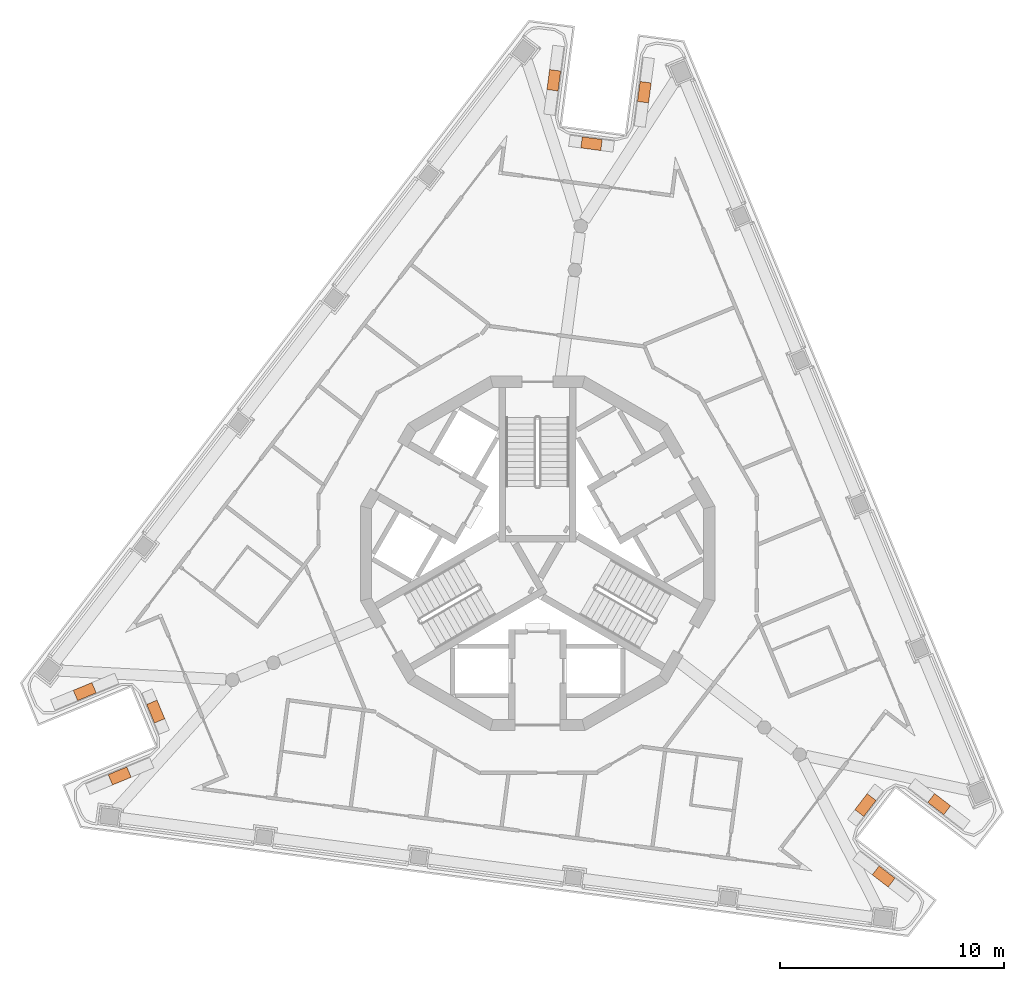
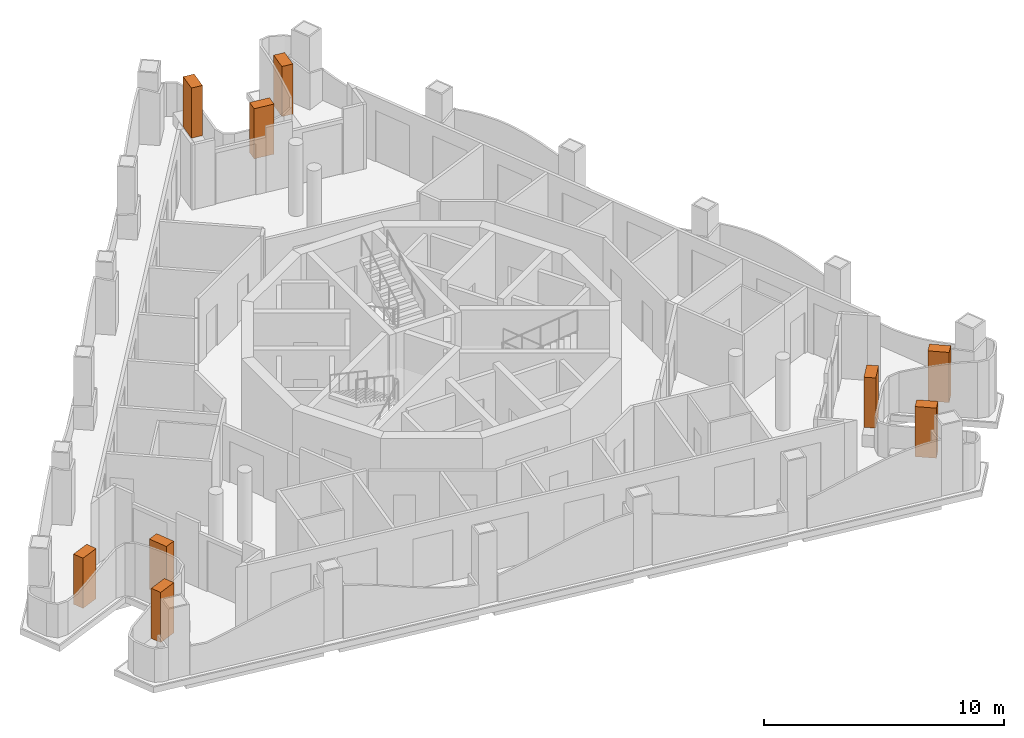
# One storey, part 12 of 12: 9 geographic elements.
"""IFC4 building model written with IfcOpenShell, lengths in metres."""

import ifcopenshell
import ifcopenshell.guid

model = None  # the IFC model being written
_history = None  # IfcOwnerHistory: only IFC2X3 demands one
_inside = {}  # id of a spatial element -> (the spatial element, [elements in it])
_under = {}  # id of a project, library or spatial element -> (it, [spatial elements below it])
_declared = {}  # id of a project -> (the project, [libraries it declares])
_typed = {}  # id of a type object -> (the type object, [elements of that type])
_made_of = {}  # id of a material, layer set ... -> (it, [elements and type objects made of it])


def new_model(schema):
    """Start an empty IFC model of exactly this schema.

    Asked for "IFC4X3", IfcOpenShell would pick the latest addendum, in which some entities
    have other attributes; the version numbers below select the first issue.
    IFC2X3 requires an IfcOwnerHistory on every rooted entity: one is made here for all.
    """
    global model, _history
    if schema == "IFC4X3":
        model = ifcopenshell.file(schema_version=(4, 3, 0, 0))
    else:
        model = ifcopenshell.file(schema=schema)
    _inside.clear()
    _under.clear()
    _declared.clear()
    _typed.clear()
    _made_of.clear()
    _history = None
    if model.schema == "IFC2X3":
        org = make("IfcOrganization", Name="unknown")
        user = make(
            "IfcPersonAndOrganization",
            ThePerson=make("IfcPerson", FamilyName="unknown"),
            TheOrganization=org,
        )
        app = make(
            "IfcApplication",
            ApplicationDeveloper=org,
            Version="unknown",
            ApplicationFullName="unknown",
            ApplicationIdentifier="unknown",
        )
        _history = make(
            "IfcOwnerHistory",
            OwningUser=user,
            OwningApplication=app,
            ChangeAction="ADDED",
            CreationDate=0,
        )
    return model


def make(cls, **values):
    """One entity of the class cls with the attributes given. An attribute that is None is left unset."""
    return model.create_entity(
        cls, **{name: value for name, value in values.items() if value is not None}
    )


def rooted(cls, **values):
    """An entity with a GlobalId (a new one), such as an element, a storey or a relation."""
    return make(cls, GlobalId=ifcopenshell.guid.new(), OwnerHistory=_history, **values)


def si_unit(unit_type, name, prefix=None):
    """IfcSIUnit, for example si_unit("LENGTHUNIT", "METRE", prefix="MILLI")."""
    return make("IfcSIUnit", UnitType=unit_type, Prefix=prefix, Name=name)


def assignment(units):
    """IfcUnitAssignment: the units of a project."""
    return None if units is None else make("IfcUnitAssignment", Units=units)


def point(xyz):
    """IfcCartesianPoint."""
    return None if xyz is None else make("IfcCartesianPoint", Coordinates=xyz)


def direction(xyz):
    """IfcDirection."""
    return None if xyz is None else make("IfcDirection", DirectionRatios=xyz)


def frame(location, z_axis=None, x_axis=None):
    """IfcAxis2Placement3D, a coordinate frame: its origin and axes. An axis left out is left unset."""
    return make(
        "IfcAxis2Placement3D",
        Location=point(location),
        Axis=direction(z_axis),
        RefDirection=direction(x_axis),
    )


def frame_2d(location, x_axis=None):
    """IfcAxis2Placement2D, a coordinate frame in the plane: its origin and x axis."""
    return make(
        "IfcAxis2Placement2D", Location=point(location), RefDirection=direction(x_axis)
    )


def origin():
    """The frame at (0, 0, 0) with its axes left unset."""
    return frame((0.0, 0.0, 0.0))


def origin_2d():
    """The frame at (0, 0) in the plane with its x axis left unset."""
    return frame_2d((0.0, 0.0))


def place(relative_to, where):
    """IfcLocalPlacement: puts the frame where relative to a parent placement (None: the world)."""
    return make(
        "IfcLocalPlacement", PlacementRelTo=relative_to, RelativePlacement=where
    )


def context(
    kind, dimensions, precision=None, world=None, true_north=None, identifier=None
):
    """IfcGeometricRepresentationContext, for example the 3D "Model" context."""
    return make(
        "IfcGeometricRepresentationContext",
        ContextIdentifier=identifier,
        ContextType=kind,
        CoordinateSpaceDimension=dimensions,
        Precision=precision,
        WorldCoordinateSystem=world,
        TrueNorth=true_north,
    )


def subcontext(parent, identifier, kind, view, scale=None):
    """IfcGeometricRepresentationSubContext, for example "Body" below "Model"."""
    return make(
        "IfcGeometricRepresentationSubContext",
        ContextIdentifier=identifier,
        ContextType=kind,
        ParentContext=parent,
        TargetScale=scale,
        TargetView=view,
    )


def project(units=None, contexts=None):
    """IfcProject with its units and contexts."""
    return rooted(
        "IfcProject",
        Name="project",
        RepresentationContexts=contexts,
        UnitsInContext=assignment(units),
    )


def spatial(cls, under=None, at=None, **own):
    """A site, building, storey or space (cls), placed at a placement, below another one or the project."""
    s = rooted(cls, ObjectPlacement=at, **own)
    if under is not None:
        _under.setdefault(under.id(), (under, []))[1].append(s)
    return s


def profile(cls, at=None, kind="AREA", **sizes):
    """A parametric profile (cls). Its sizes go by their IFC names, for example OverallWidth=200.0."""
    return make(cls, ProfileType=kind, Position=at, **sizes)


def rectangle(**sizes):
    """IfcRectangleProfileDef."""
    return profile("IfcRectangleProfileDef", **sizes)


def extrude(swept, where, along, depth):
    """IfcExtrudedAreaSolid: the profile swept, set in the frame where, extruded along a direction by depth."""
    return make(
        "IfcExtrudedAreaSolid",
        SweptArea=swept,
        Position=where,
        ExtrudedDirection=direction(along),
        Depth=depth,
    )


def shape(context_of_items, identifier, shape_type, items):
    """IfcShapeRepresentation: the items that make up one representation, for example the "Body"."""
    return make(
        "IfcShapeRepresentation",
        ContextOfItems=context_of_items,
        RepresentationIdentifier=identifier,
        RepresentationType=shape_type,
        Items=items,
    )


def made_of(thing, what):
    """Note that an element or type object is made of a material, layer set ...; save() writes the relation."""
    if what is not None:
        _made_of.setdefault(what.id(), (what, []))[1].append(thing)
    return thing


def element(
    cls,
    number,
    at=None,
    inside=None,
    cuts=None,
    type_object=None,
    material=None,
    context=None,
    identifier="Body",
    shape_type=None,
    held_by="IfcProductDefinitionShape",
    body=None,
    shapes=None,
    **own,
):
    """One element of the class cls, such as IfcWall. Its Tag is "e" and its number.

    at: its placement. inside: the storey or other place that contains it. cuts: it is an
    opening in that element (IfcRelVoidsElement). A single representation is given by context,
    identifier, shape_type and body (its items); several are given by shapes. held_by: the class
    of the entity that holds the representations. save() writes the other relations.
    """
    e = rooted(cls, Tag="e%d" % number, ObjectPlacement=at, **own)
    if body is not None:
        shapes = [shape(context, identifier, shape_type, body)]
    if shapes is not None:
        e.Representation = make(held_by, Representations=shapes)
    if inside is not None:
        _inside.setdefault(inside.id(), (inside, []))[1].append(e)
    if cuts is not None:
        rooted(
            "IfcRelVoidsElement", RelatingBuildingElement=cuts, RelatedOpeningElement=e
        )
    if type_object is not None:
        _typed.setdefault(type_object.id(), (type_object, []))[1].append(e)
    return made_of(e, material)


def aggregate(whole, parts):
    """IfcRelAggregates: a whole, such as a stair, and the parts it consists of."""
    return rooted("IfcRelAggregates", RelatingObject=whole, RelatedObjects=parts)


def save(model, path):
    """Write the relations noted so far, then the file.

    IfcRelAggregates (storeys below a building ...), IfcRelContainedInSpatialStructure (elements
    in a storey), IfcRelDefinesByType, IfcRelAssociatesMaterial and IfcRelDeclares: one each for
    every whole, place, type object, material and project.
    """
    for whole, parts in _under.values():
        aggregate(whole, parts)
    for where, things in _inside.values():
        rooted(
            "IfcRelContainedInSpatialStructure",
            RelatedElements=things,
            RelatingStructure=where,
        )
    for kind, things in _typed.values():
        rooted("IfcRelDefinesByType", RelatedObjects=things, RelatingType=kind)
    for what, things in _made_of.values():
        rooted("IfcRelAssociatesMaterial", RelatedObjects=things, RelatingMaterial=what)
    for by, libraries in _declared.values():
        rooted("IfcRelDeclares", RelatingContext=by, RelatedDefinitions=libraries)
    model.write(path)


model = new_model("IFC4")

# Units and contexts
model_context = context("Model", 3, precision=1e-05, world=origin(), true_north=direction((0.0, 1.0)))
body_context = subcontext(model_context, "Body", "Model", "MODEL_VIEW")
ifc_project = project(units=[si_unit("LENGTHUNIT", "METRE"), si_unit("AREAUNIT", "SQUARE_METRE"), si_unit("VOLUMEUNIT", "CUBIC_METRE"), si_unit("PLANEANGLEUNIT", "RADIAN"), si_unit("MASSUNIT", "GRAM", prefix="KILO")], contexts=[model_context])

# Site, building, storey
site_placement = place(None, origin())
site = spatial("IfcSite", under=ifc_project, at=site_placement, CompositionType="ELEMENT")
building_placement = place(site_placement, origin())
building = spatial("IfcBuilding", under=site, at=building_placement, Name="Trine Commons Tower", CompositionType="ELEMENT")
storey_placement = place(building_placement, frame((0.0, 0.0, 275.39990234375)))
storey = spatial("IfcBuildingStorey", under=building, at=storey_placement, Name="L72", CompositionType="ELEMENT", Elevation=275.39990234375)

# Geographic elements
for number, where, z_axis, x_axis, name in (
    (1, (61.31982421875, 52.554443359375, 0.60009765625), (0.0, 0.0, 1.0), (0.923885543575, 0.382668920052, 0.0), "Tree 1.1"),
    (2, (62.93212890625, 55.430419921875, 0.60009765625), (0.0, 0.0, 1.0), (-0.382688269782, 0.923877528773, 0.0), "Tree 2.1"),
    (3, (59.758544921875, 56.32373046875, 0.60009765625), (0.0, 0.0, 1.0), (-0.923885543575, -0.382668920052, 0.0), "Tree 3.1"),
    (4, (80.726806640625, 83.650146484375, 0.60009765625), (0.0, 0.0, 1.0), (-0.130514079426, -0.991446455978, 0.0), "Tree 4.1"),
    (5, (82.411376953125, 80.816162109375, 0.60009765625), (0.0, 0.0, 1.0), (0.991442583111, -0.130543496177, 0.0), "Tree 5.1"),
    (6, (84.77197265625, 83.11767578125, 0.60009765625), (0.0, 0.0, 1.0), (0.130517540226, 0.991446000392, 0.0), "Tree 6.1"),
    (7, (97.953125, 51.29541015625, 0.60009765625), (0.0, 0.0, 1.0), (-0.793348027815, 0.6087683523, 0.0), "Tree 7.1"),
    (8, (94.656494140625, 51.253662109375, 0.60009765625), (0.0, 0.0, 1.0), (-0.608764198331, -0.793351215308, 0.0), "Tree 8.1"),
    (9, (95.469482421875, 48.05859375, 0.60009765625), (0.0, 0.0, 1.0), (0.793348027815, -0.6087683523, 0.0), "Tree 9.1"),
):
    element("IfcGeographicElement", number, at=place(storey_placement, frame(where, z_axis=z_axis, x_axis=x_axis)), inside=storey, Name=name, ObjectType="TREE Tabebuia rosea", PredefinedType="USERDEFINED", context=body_context, shape_type="SweptSolid", body=[
        extrude(rectangle(XDim=0.89990234375, YDim=0.5, at=origin_2d()), origin(), (0.0, 0.0, 1.0), 2.550048828125),
    ])

save(model, "model.ifc")
